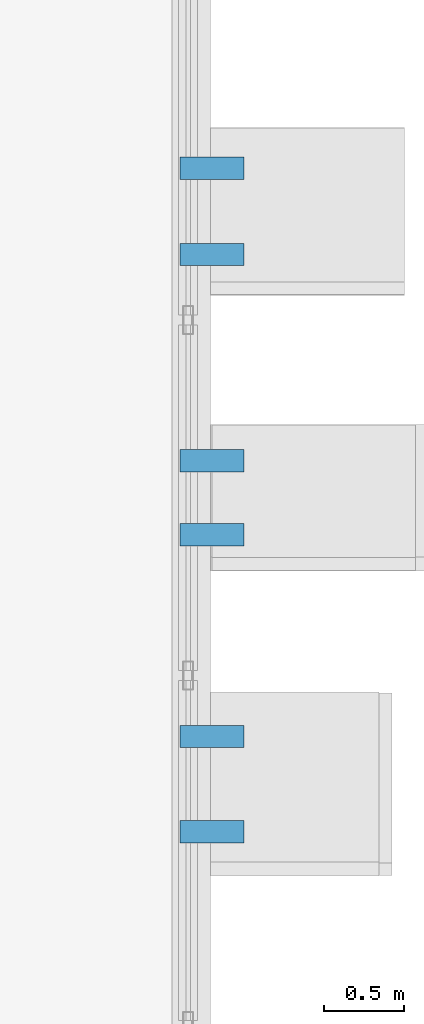
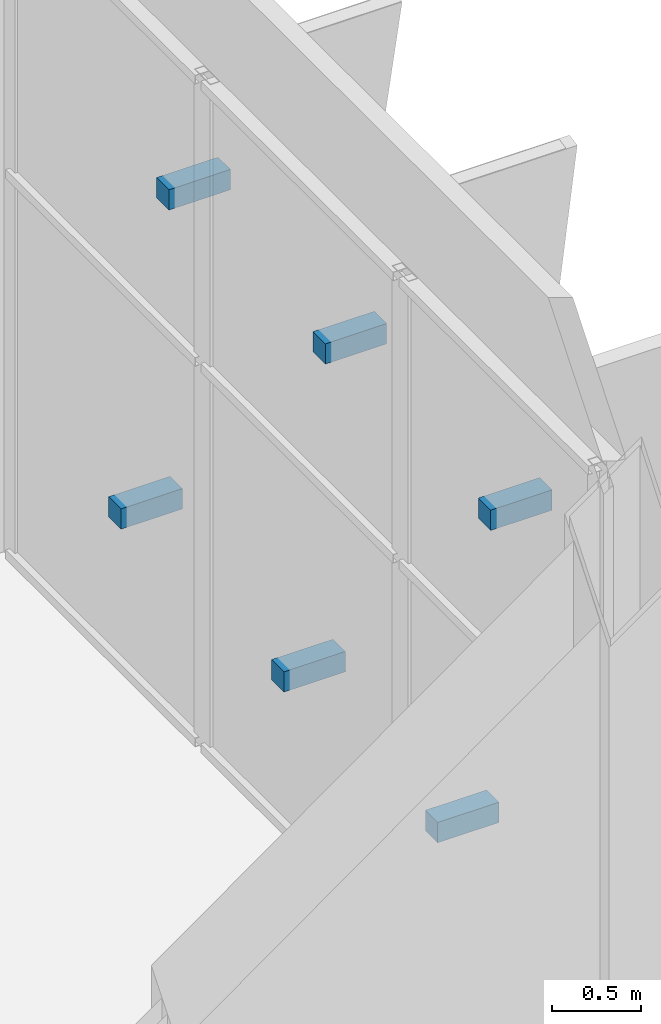
# One storey, part 154 of 189: 6 discrete accessories.
"""IFC4 building model written with IfcOpenShell, lengths in metres."""

import ifcopenshell
import ifcopenshell.guid

model = None  # the IFC model being written
_history = None  # IfcOwnerHistory: only IFC2X3 demands one
_inside = {}  # id of a spatial element -> (the spatial element, [elements in it])
_under = {}  # id of a project, library or spatial element -> (it, [spatial elements below it])
_declared = {}  # id of a project -> (the project, [libraries it declares])
_typed = {}  # id of a type object -> (the type object, [elements of that type])
_made_of = {}  # id of a material, layer set ... -> (it, [elements and type objects made of it])


def new_model(schema):
    """Start an empty IFC model of exactly this schema.

    Asked for "IFC4X3", IfcOpenShell would pick the latest addendum, in which some entities
    have other attributes; the version numbers below select the first issue.
    IFC2X3 requires an IfcOwnerHistory on every rooted entity: one is made here for all.
    """
    global model, _history
    if schema == "IFC4X3":
        model = ifcopenshell.file(schema_version=(4, 3, 0, 0))
    else:
        model = ifcopenshell.file(schema=schema)
    _inside.clear()
    _under.clear()
    _declared.clear()
    _typed.clear()
    _made_of.clear()
    _history = None
    if model.schema == "IFC2X3":
        org = make("IfcOrganization", Name="unknown")
        user = make(
            "IfcPersonAndOrganization",
            ThePerson=make("IfcPerson", FamilyName="unknown"),
            TheOrganization=org,
        )
        app = make(
            "IfcApplication",
            ApplicationDeveloper=org,
            Version="unknown",
            ApplicationFullName="unknown",
            ApplicationIdentifier="unknown",
        )
        _history = make(
            "IfcOwnerHistory",
            OwningUser=user,
            OwningApplication=app,
            ChangeAction="ADDED",
            CreationDate=0,
        )
    return model


def make(cls, **values):
    """One entity of the class cls with the attributes given. An attribute that is None is left unset."""
    return model.create_entity(
        cls, **{name: value for name, value in values.items() if value is not None}
    )


def rooted(cls, **values):
    """An entity with a GlobalId (a new one), such as an element, a storey or a relation."""
    return make(cls, GlobalId=ifcopenshell.guid.new(), OwnerHistory=_history, **values)


def si_unit(unit_type, name, prefix=None):
    """IfcSIUnit, for example si_unit("LENGTHUNIT", "METRE", prefix="MILLI")."""
    return make("IfcSIUnit", UnitType=unit_type, Prefix=prefix, Name=name)


def assignment(units):
    """IfcUnitAssignment: the units of a project."""
    return None if units is None else make("IfcUnitAssignment", Units=units)


def point(xyz):
    """IfcCartesianPoint."""
    return None if xyz is None else make("IfcCartesianPoint", Coordinates=xyz)


def direction(xyz):
    """IfcDirection."""
    return None if xyz is None else make("IfcDirection", DirectionRatios=xyz)


def frame(location, z_axis=None, x_axis=None):
    """IfcAxis2Placement3D, a coordinate frame: its origin and axes. An axis left out is left unset."""
    return make(
        "IfcAxis2Placement3D",
        Location=point(location),
        Axis=direction(z_axis),
        RefDirection=direction(x_axis),
    )


def frame_2d(location, x_axis=None):
    """IfcAxis2Placement2D, a coordinate frame in the plane: its origin and x axis."""
    return make(
        "IfcAxis2Placement2D", Location=point(location), RefDirection=direction(x_axis)
    )


def origin():
    """The frame at (0, 0, 0) with its axes left unset."""
    return frame((0.0, 0.0, 0.0))


def origin_2d():
    """The frame at (0, 0) in the plane with its x axis left unset."""
    return frame_2d((0.0, 0.0))


def place(relative_to, where):
    """IfcLocalPlacement: puts the frame where relative to a parent placement (None: the world)."""
    return make(
        "IfcLocalPlacement", PlacementRelTo=relative_to, RelativePlacement=where
    )


def context(
    kind, dimensions, precision=None, world=None, true_north=None, identifier=None
):
    """IfcGeometricRepresentationContext, for example the 3D "Model" context."""
    return make(
        "IfcGeometricRepresentationContext",
        ContextIdentifier=identifier,
        ContextType=kind,
        CoordinateSpaceDimension=dimensions,
        Precision=precision,
        WorldCoordinateSystem=world,
        TrueNorth=true_north,
    )


def subcontext(parent, identifier, kind, view, scale=None):
    """IfcGeometricRepresentationSubContext, for example "Body" below "Model"."""
    return make(
        "IfcGeometricRepresentationSubContext",
        ContextIdentifier=identifier,
        ContextType=kind,
        ParentContext=parent,
        TargetScale=scale,
        TargetView=view,
    )


def project(units=None, contexts=None):
    """IfcProject with its units and contexts."""
    return rooted(
        "IfcProject",
        Name="project",
        RepresentationContexts=contexts,
        UnitsInContext=assignment(units),
    )


def spatial(cls, under=None, at=None, **own):
    """A site, building, storey or space (cls), placed at a placement, below another one or the project."""
    s = rooted(cls, ObjectPlacement=at, **own)
    if under is not None:
        _under.setdefault(under.id(), (under, []))[1].append(s)
    return s


def profile(cls, at=None, kind="AREA", **sizes):
    """A parametric profile (cls). Its sizes go by their IFC names, for example OverallWidth=200.0."""
    return make(cls, ProfileType=kind, Position=at, **sizes)


def rectangle(**sizes):
    """IfcRectangleProfileDef."""
    return profile("IfcRectangleProfileDef", **sizes)


def extrude(swept, where, along, depth):
    """IfcExtrudedAreaSolid: the profile swept, set in the frame where, extruded along a direction by depth."""
    return make(
        "IfcExtrudedAreaSolid",
        SweptArea=swept,
        Position=where,
        ExtrudedDirection=direction(along),
        Depth=depth,
    )


def shape(context_of_items, identifier, shape_type, items):
    """IfcShapeRepresentation: the items that make up one representation, for example the "Body"."""
    return make(
        "IfcShapeRepresentation",
        ContextOfItems=context_of_items,
        RepresentationIdentifier=identifier,
        RepresentationType=shape_type,
        Items=items,
    )


def material(Name=None, Category=None):
    """IfcMaterial."""
    return make("IfcMaterial", Name=Name, Category=Category)


def made_of(thing, what):
    """Note that an element or type object is made of a material, layer set ...; save() writes the relation."""
    if what is not None:
        _made_of.setdefault(what.id(), (what, []))[1].append(thing)
    return thing


def type_object(cls, material=None, **own):
    """A type object (cls), such as IfcWallType, which elements share."""
    return made_of(rooted(cls, **own), material)


def element(
    cls,
    number,
    at=None,
    inside=None,
    cuts=None,
    type_object=None,
    material=None,
    context=None,
    identifier="Body",
    shape_type=None,
    held_by="IfcProductDefinitionShape",
    body=None,
    shapes=None,
    **own,
):
    """One element of the class cls, such as IfcWall. Its Tag is "e" and its number.

    at: its placement. inside: the storey or other place that contains it. cuts: it is an
    opening in that element (IfcRelVoidsElement). A single representation is given by context,
    identifier, shape_type and body (its items); several are given by shapes. held_by: the class
    of the entity that holds the representations. save() writes the other relations.
    """
    e = rooted(cls, Tag="e%d" % number, ObjectPlacement=at, **own)
    if body is not None:
        shapes = [shape(context, identifier, shape_type, body)]
    if shapes is not None:
        e.Representation = make(held_by, Representations=shapes)
    if inside is not None:
        _inside.setdefault(inside.id(), (inside, []))[1].append(e)
    if cuts is not None:
        rooted(
            "IfcRelVoidsElement", RelatingBuildingElement=cuts, RelatedOpeningElement=e
        )
    if type_object is not None:
        _typed.setdefault(type_object.id(), (type_object, []))[1].append(e)
    return made_of(e, material)


def aggregate(whole, parts):
    """IfcRelAggregates: a whole, such as a stair, and the parts it consists of."""
    return rooted("IfcRelAggregates", RelatingObject=whole, RelatedObjects=parts)


def save(model, path):
    """Write the relations noted so far, then the file.

    IfcRelAggregates (storeys below a building ...), IfcRelContainedInSpatialStructure (elements
    in a storey), IfcRelDefinesByType, IfcRelAssociatesMaterial and IfcRelDeclares: one each for
    every whole, place, type object, material and project.
    """
    for whole, parts in _under.values():
        aggregate(whole, parts)
    for where, things in _inside.values():
        rooted(
            "IfcRelContainedInSpatialStructure",
            RelatedElements=things,
            RelatingStructure=where,
        )
    for kind, things in _typed.values():
        rooted("IfcRelDefinesByType", RelatedObjects=things, RelatingType=kind)
    for what, things in _made_of.values():
        rooted("IfcRelAssociatesMaterial", RelatedObjects=things, RelatingMaterial=what)
    for by, libraries in _declared.values():
        rooted("IfcRelDeclares", RelatingContext=by, RelatedDefinitions=libraries)
    model.write(path)


model = new_model("IFC4")

# Units and contexts
model_context = context("Model", 3, precision=1e-05, world=origin(), true_north=direction((0.0, 1.0)))
body_context = subcontext(model_context, "Body", "Model", "MODEL_VIEW")
ifc_project = project(units=[si_unit("LENGTHUNIT", "METRE"), si_unit("AREAUNIT", "SQUARE_METRE"), si_unit("VOLUMEUNIT", "CUBIC_METRE"), si_unit("PLANEANGLEUNIT", "RADIAN"), si_unit("MASSUNIT", "GRAM", prefix="KILO")], contexts=[model_context])

# Site, building, storey
site_placement = place(None, origin())
site = spatial("IfcSite", under=ifc_project, at=site_placement, CompositionType="ELEMENT")
building_placement = place(site_placement, origin())
building = spatial("IfcBuilding", under=site, at=building_placement, Name="Celestram Park Convention Centre", CompositionType="ELEMENT")
storey_placement = place(building_placement, frame((0.0, 0.0, 5.39990234375)))
storey = spatial("IfcBuildingStorey", under=building, at=storey_placement, Name="L01", CompositionType="ELEMENT", Elevation=5.39990234375)

# Discrete accessories
ifc_material = material(Name="Steel ASTM A500 Grade C", Category="steel")
discrete_accessory_type = type_object("IfcDiscreteAccessoryType", Name="ARC-BRK-OUT400", PredefinedType="BRACKET", material=ifc_material)
for number, where, z_axis, x_axis, name in (
    (1, (216.14990234375, 120.870849609375, 0.97900390625), (0.0, 0.0, 1.0), (1.0, 0.0, 0.0), "Solar fin outrigger bracket BK-L01-0469"),
    (2, (216.14990234375, 120.3291015625, 3.50537109375), (0.0, 0.0, 1.0), (1.0, 0.0, 0.0), "Solar fin outrigger bracket BK-L01-0470"),
    (3, (216.14990234375, 119.033203125, 0.9716796875), (0.0, 0.0, 1.0), (1.0, 0.0, 0.0), "Solar fin outrigger bracket BK-L01-0471"),
    (4, (216.14990234375, 118.56689453125, 3.5126953125), (0.0, 0.0, 1.0), (1.0, 0.0, 0.0), "Solar fin outrigger bracket BK-L01-0472"),
    (5, (216.14990234375, 117.29931640625, 0.9853515625), (0.0, 0.0, 1.0), (1.0, 0.0, 0.0), "Solar fin outrigger bracket BK-L01-0473"),
    (6, (216.14990234375, 116.70068359375, 3.4990234375), (0.0, 0.0, 1.0), (1.0, 0.0, 0.0), "Solar fin outrigger bracket BK-L01-0474"),
):
    element("IfcDiscreteAccessory", number, at=place(storey_placement, frame(where, z_axis=z_axis, x_axis=x_axis)), inside=storey, type_object=discrete_accessory_type, Name=name, PredefinedType="BRACKET", context=body_context, shape_type="SweptSolid", body=[
        extrude(rectangle(XDim=0.39990234375, YDim=0.139892578125, at=origin_2d()), origin(), (0.0, 0.0, 1.0), 0.139892578125),
    ])

save(model, "model.ifc")
